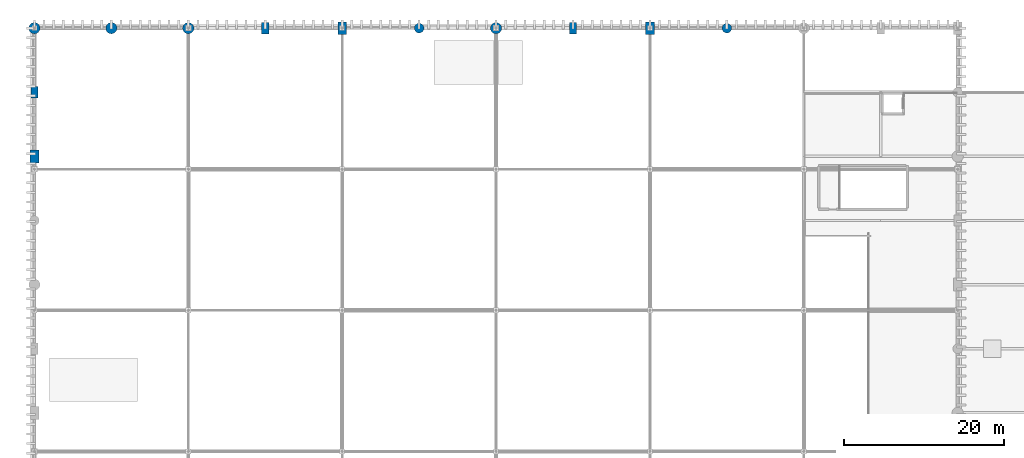
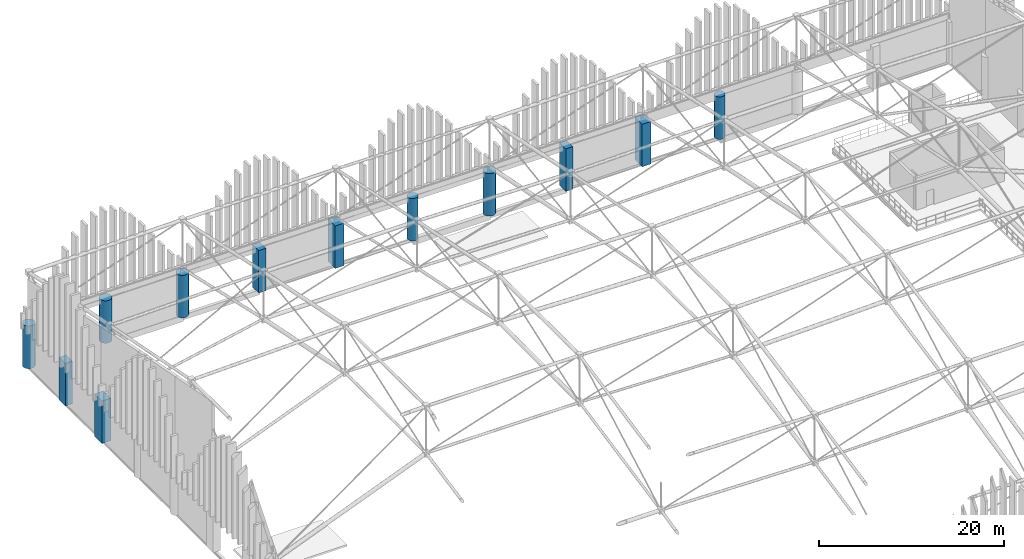
# One storey, part 21 of 193: 12 columns.
"""IFC4 building model written with IfcOpenShell, lengths in metres."""

from ifc_helpers import new_model, si_unit, direction, frame, origin, origin_2d, place, context, subcontext, project, spatial, rectangle, circle, extrude, material, material_profile, profile_set, type_object, element, save


model = new_model("IFC4")

# Units and contexts
model_context = context("Model", 3, precision=1e-05, world=origin(), true_north=direction((0.0, 1.0)))
body_context = subcontext(model_context, "Body", "Model", "MODEL_VIEW")
ifc_project = project(units=[si_unit("LENGTHUNIT", "METRE"), si_unit("AREAUNIT", "SQUARE_METRE"), si_unit("VOLUMEUNIT", "CUBIC_METRE"), si_unit("PLANEANGLEUNIT", "RADIAN"), si_unit("MASSUNIT", "GRAM", prefix="KILO")], contexts=[model_context])

# Site, building, storey
site_placement = place(None, origin())
site = spatial("IfcSite", under=ifc_project, at=site_placement, CompositionType="ELEMENT")
building_placement = place(site_placement, origin())
building = spatial("IfcBuilding", under=site, at=building_placement, Name="Danafjord Basin Convention Centre", CompositionType="ELEMENT")
storey_placement = place(building_placement, frame((0.0, 0.0, 11.39990234375)))
storey = spatial("IfcBuildingStorey", under=building, at=storey_placement, Name="L02", CompositionType="ELEMENT", Elevation=11.39990234375)

# Columns
ifc_material = material(Name="Concrete C50/60", Category="concrete")
ifc_material_profile_1 = material_profile(ifc_material, rectangle(XDim=0.89990234375, YDim=1.39990234375, at=origin_2d()), Name="RC 1400x900")
ifc_profile_set_1 = profile_set([ifc_material_profile_1], Name="Concrete C50/60")
column_type_1 = type_object("IfcColumnType", Name="COL-C-RC1400", PredefinedType="COLUMN", material=ifc_profile_set_1)
for number, where, z_axis, x_axis, name in (
    (1, (0.0, 136.0, 0.0), (0.0, 0.0, 1.0), (1.0, 0.0, 0.0), "L02 column C-RC1400 at (0.0, 136.0)"),
    (2, (28.800048828125, 144.0, 0.0), (0.0, 0.0, 1.0), (1.0, 0.0, 0.0), "L02 column C-RC1400 at (28.8, 144.0)"),
    (3, (67.199951171875, 144.0, 0.0), (0.0, 0.0, 1.0), (1.0, 0.0, 0.0), "L02 column C-RC1400 at (67.2, 144.0)"),
):
    element("IfcColumn", number, at=place(storey_placement, frame(where, z_axis=z_axis, x_axis=x_axis)), inside=storey, type_object=column_type_1, Name=name, PredefinedType="COLUMN", context=body_context, shape_type="SweptSolid", body=[
        extrude(rectangle(XDim=0.89990234375, YDim=1.39990234375, at=origin_2d()), origin(), (0.0, 0.0, 1.0), 5.6201171875),
    ])
ifc_material_profile_2 = material_profile(ifc_material, rectangle(XDim=1.10009765625, YDim=1.60009765625, at=origin_2d()), Name="RC 1600x1100")
ifc_profile_set_2 = profile_set([ifc_material_profile_2], Name="Concrete C50/60")
column_type_2 = type_object("IfcColumnType", Name="COL-C-RC1600", PredefinedType="COLUMN", material=ifc_profile_set_2)
for number, where, z_axis, x_axis, name in (
    (4, (0.0, 128.0, 0.0), (0.0, 0.0, 1.0), (1.0, 0.0, 0.0), "L02 column C-RC1600 at (0.0, 128.0)"),
    (5, (38.39990234375, 144.0, 0.0), (0.0, 0.0, 1.0), (1.0, 0.0, 0.0), "L02 column C-RC1600 at (38.4, 144.0)"),
    (6, (76.800048828125, 144.0, 0.0), (0.0, 0.0, 1.0), (1.0, 0.0, 0.0), "L02 column C-RC1600 at (76.8, 144.0)"),
):
    element("IfcColumn", number, at=place(storey_placement, frame(where, z_axis=z_axis, x_axis=x_axis)), inside=storey, type_object=column_type_2, Name=name, PredefinedType="COLUMN", context=body_context, shape_type="SweptSolid", body=[
        extrude(rectangle(XDim=1.10009765625, YDim=1.60009765625, at=origin_2d()), origin(), (0.0, 0.0, 1.0), 5.6201171875),
    ])
ifc_material_profile_3 = material_profile(ifc_material, circle(Radius=0.60009765625, at=origin_2d()), Name="RC D1200")
ifc_profile_set_3 = profile_set([ifc_material_profile_3], Name="Concrete C50/60")
column_type_3 = type_object("IfcColumnType", Name="COL-C-RCD1200", PredefinedType="COLUMN", material=ifc_profile_set_3)
for number, where, z_axis, x_axis, name in (
    (7, (48.0, 144.0, 0.0), (0.0, 0.0, 1.0), (1.0, 0.0, 0.0), "L02 column C-RCD1200 at (48.0, 144.0)"),
    (8, (86.39990234375, 144.0, 0.0), (0.0, 0.0, 1.0), (1.0, 0.0, 0.0), "L02 column C-RCD1200 at (86.4, 144.0)"),
):
    element("IfcColumn", number, at=place(storey_placement, frame(where, z_axis=z_axis, x_axis=x_axis)), inside=storey, type_object=column_type_3, Name=name, PredefinedType="COLUMN", context=body_context, shape_type="SweptSolid", body=[
        extrude(circle(Radius=0.60009765625, at=origin_2d()), origin(), (0.0, 0.0, 1.0), 5.6201171875),
    ])
ifc_material_profile_4 = material_profile(ifc_material, circle(Radius=0.699951171875, at=origin_2d()), Name="RC D1400")
ifc_profile_set_4 = profile_set([ifc_material_profile_4], Name="Concrete C50/60")
column_type_4 = type_object("IfcColumnType", Name="COL-C-RCD1400", PredefinedType="COLUMN", material=ifc_profile_set_4)
for number, where, z_axis, x_axis, name in (
    (9, (0.0, 144.0, 0.0), (0.0, 0.0, 1.0), (1.0, 0.0, 0.0), "L02 column C-RCD1400 at (0.0, 144.0)"),
    (10, (9.60009765625, 144.0, 0.0), (0.0, 0.0, 1.0), (1.0, 0.0, 0.0), "L02 column C-RCD1400 at (9.6, 144.0)"),
    (11, (19.199951171875, 144.0, 0.0), (0.0, 0.0, 1.0), (1.0, 0.0, 0.0), "L02 column C-RCD1400 at (19.2, 144.0)"),
    (12, (57.60009765625, 144.0, 0.0), (0.0, 0.0, 1.0), (1.0, 0.0, 0.0), "L02 column C-RCD1400 at (57.6, 144.0)"),
):
    element("IfcColumn", number, at=place(storey_placement, frame(where, z_axis=z_axis, x_axis=x_axis)), inside=storey, type_object=column_type_4, Name=name, PredefinedType="COLUMN", context=body_context, shape_type="SweptSolid", body=[
        extrude(circle(Radius=0.699951171875, at=origin_2d()), origin(), (0.0, 0.0, 1.0), 5.6201171875),
    ])

save(model, "model.ifc")
